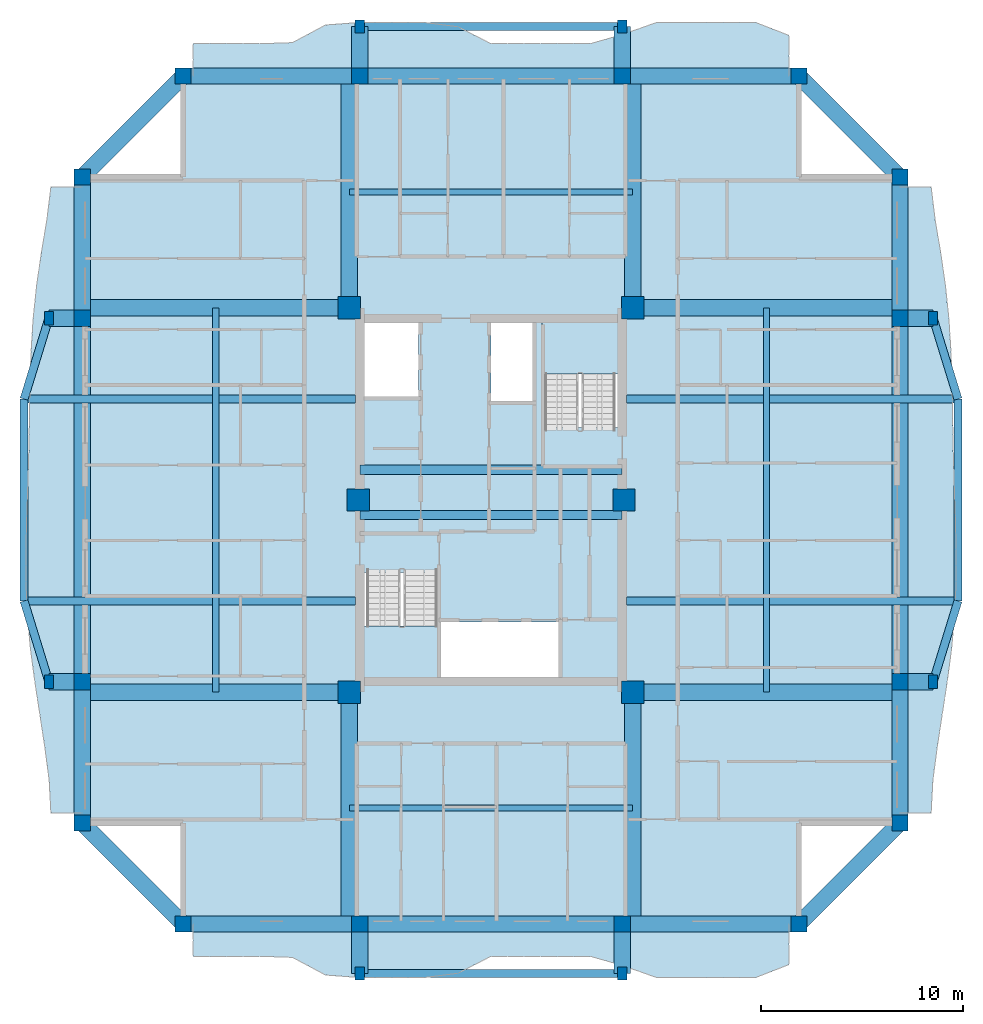
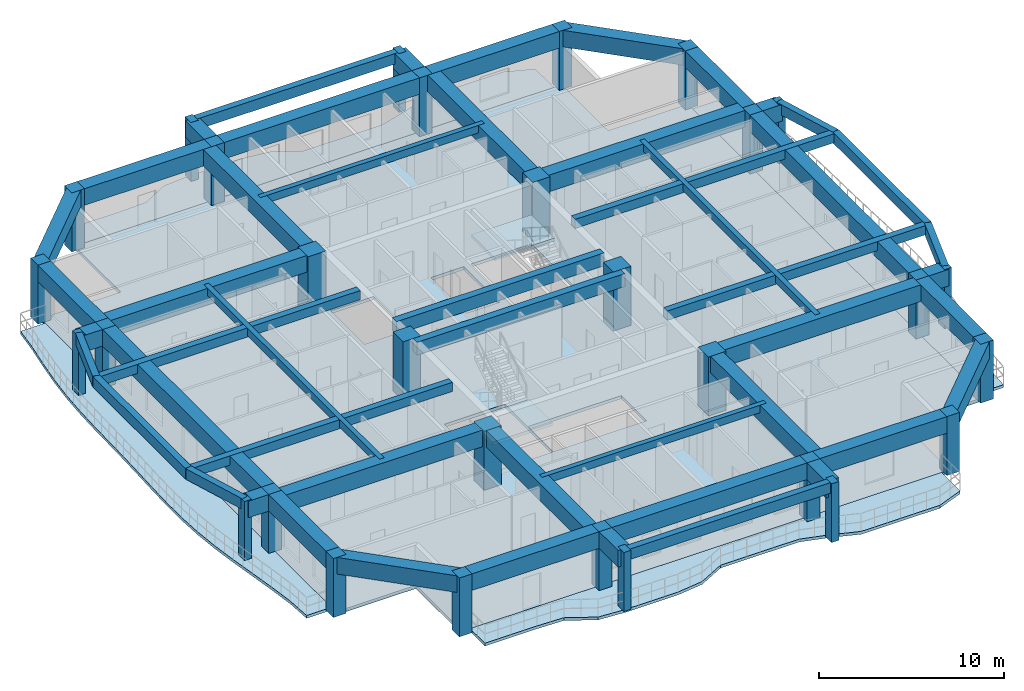
# One storey, part 1 of 14: 50 beams, 30 columns, 7 slabs, 2 elements without a shape of their own.
"""IFC4 building model written with IfcOpenShell, lengths in metres."""

from ifc_helpers import new_model, si_unit, direction, frame, origin, origin_2d, place, context, subcontext, project, spatial, polyline, rectangle, outline, extrude, source, transform, mapped, material, layer, layer_set, material_profile, profile_set, type_object, element, aggregate, save


model = new_model("IFC4")

# Units and contexts
model_context = context("Model", 3, precision=1e-05, world=origin(), true_north=direction((0.0, 1.0)))
body_context = subcontext(model_context, "Body", "Model", "MODEL_VIEW")
ifc_project = project(units=[si_unit("LENGTHUNIT", "METRE"), si_unit("AREAUNIT", "SQUARE_METRE"), si_unit("VOLUMEUNIT", "CUBIC_METRE"), si_unit("PLANEANGLEUNIT", "RADIAN"), si_unit("MASSUNIT", "GRAM", prefix="KILO")], contexts=[model_context])

# Site, building, storey
site_placement = place(None, origin())
site = spatial("IfcSite", under=ifc_project, at=site_placement, CompositionType="ELEMENT")
building_placement = place(site_placement, origin())
building = spatial("IfcBuilding", under=site, at=building_placement, Name="Saelheon Loggia Tower", CompositionType="ELEMENT")
storey_placement = place(building_placement, frame((0.0, 0.0, 182.800048828125)))
storey = spatial("IfcBuildingStorey", under=building, at=storey_placement, Name="L57", CompositionType="ELEMENT", Elevation=182.800048828125)

# Columns
ifc_material_1 = material(Name="Concrete C50/60", Category="concrete")
ifc_material_profile_1 = material_profile(ifc_material_1, rectangle(XDim=1.10009765625, YDim=1.10009765625, at=origin_2d()), Name="RC-1100x1100")
ifc_profile_set_1 = profile_set([ifc_material_profile_1], Name="Concrete C50/60")
column_type_1 = type_object("IfcColumnType", Name="Col_Core_RC1100", PredefinedType="COLUMN", material=ifc_profile_set_1)
shared_shape_1 = source(origin(), body_context, "Body", "SweptSolid", [
    extrude(rectangle(XDim=1.10009765625, YDim=1.10009765625, at=origin_2d()), origin(), (0.0, 0.0, 1.0), 3.89990234375),
])
for number, where, z_axis, x_axis, name in (
    (1, (30.97998046875, 17.47998046875, 0.0), (0.0, 0.0, 1.0), (1.0, 0.0, 0.0), "L57 Core Column CR-SW"),
    (2, (45.02001953125, 17.47998046875, 0.0), (0.0, 0.0, 1.0), (1.0, 0.0, 0.0), "L57 Core Column CR-SE"),
    (3, (30.97998046875, 36.52001953125, 0.0), (0.0, 0.0, 1.0), (1.0, 0.0, 0.0), "L57 Core Column CR-NW"),
    (4, (45.02001953125, 36.52001953125, 0.0), (0.0, 0.0, 1.0), (1.0, 0.0, 0.0), "L57 Core Column CR-NE"),
    (5, (31.419921875, 27.0, 0.0), (0.0, 0.0, 1.0), (1.0, 0.0, 0.0), "L57 Core Column CR-MW"),
    (6, (44.580078125, 27.0, 0.0), (0.0, 0.0, 1.0), (1.0, 0.0, 0.0), "L57 Core Column CR-ME"),
):
    element("IfcColumn", number, at=place(storey_placement, frame(where, z_axis=z_axis, x_axis=x_axis)), inside=storey, type_object=column_type_1, Name=name, PredefinedType="COLUMN", context=body_context, shape_type="MappedRepresentation", body=[
        mapped(shared_shape_1, transform((0.0, 0.0, 0.0), scale=1.0)),
    ])
ifc_material_2 = material(Name="Concrete C45/55", Category="concrete")
ifc_material_profile_2 = material_profile(ifc_material_2, rectangle(XDim=0.800048828125, YDim=0.800048828125, at=origin_2d()), Name="RC-800x800")
ifc_profile_set_2 = profile_set([ifc_material_profile_2], Name="Concrete C45/55")
column_type_2 = type_object("IfcColumnType", Name="Col_Perim_RC800", PredefinedType="COLUMN", material=ifc_profile_set_2)
shared_shape_2 = source(origin(), body_context, "Body", "SweptSolid", [
    extrude(rectangle(XDim=0.800048828125, YDim=0.800048828125, at=origin_2d()), origin(), (0.0, 0.0, 1.0), 3.89990234375),
])
for number, where, z_axis, x_axis, name in (
    (7, (22.75, 6.0, 0.0), (0.0, 0.0, 1.0), (1.0, 0.0, 0.0), "L57 Perimeter Column TP-S1"),
    (8, (31.5, 6.0, 0.0), (0.0, 0.0, 1.0), (1.0, 0.0, 0.0), "L57 Perimeter Column TP-SA"),
    (9, (44.5, 6.0, 0.0), (0.0, 0.0, 1.0), (1.0, 0.0, 0.0), "L57 Perimeter Column TP-SB"),
    (10, (53.25, 6.0, 0.0), (0.0, 0.0, 1.0), (1.0, 0.0, 0.0), "L57 Perimeter Column TP-S2"),
    (11, (58.25, 11.0, 0.0), (0.0, 0.0, 1.0), (1.0, 0.0, 0.0), "L57 Perimeter Column TP-E1"),
    (12, (58.25, 18.0, 0.0), (0.0, 0.0, 1.0), (1.0, 0.0, 0.0), "L57 Perimeter Column TP-EA"),
    (13, (58.25, 36.0, 0.0), (0.0, 0.0, 1.0), (1.0, 0.0, 0.0), "L57 Perimeter Column TP-EB"),
    (14, (58.25, 43.0, 0.0), (0.0, 0.0, 1.0), (1.0, 0.0, 0.0), "L57 Perimeter Column TP-E2"),
    (15, (53.25, 48.0, 0.0), (0.0, 0.0, 1.0), (1.0, 0.0, 0.0), "L57 Perimeter Column TP-N2"),
    (16, (44.5, 48.0, 0.0), (0.0, 0.0, 1.0), (1.0, 0.0, 0.0), "L57 Perimeter Column TP-NB"),
    (17, (31.5, 48.0, 0.0), (0.0, 0.0, 1.0), (1.0, 0.0, 0.0), "L57 Perimeter Column TP-NA"),
    (18, (22.75, 48.0, 0.0), (0.0, 0.0, 1.0), (1.0, 0.0, 0.0), "L57 Perimeter Column TP-N1"),
    (19, (17.75, 43.0, 0.0), (0.0, 0.0, 1.0), (1.0, 0.0, 0.0), "L57 Perimeter Column TP-W2"),
    (20, (17.75, 36.0, 0.0), (0.0, 0.0, 1.0), (1.0, 0.0, 0.0), "L57 Perimeter Column TP-WB"),
    (21, (17.75, 18.0, 0.0), (0.0, 0.0, 1.0), (1.0, 0.0, 0.0), "L57 Perimeter Column TP-WA"),
    (22, (17.75, 11.0, 0.0), (0.0, 0.0, 1.0), (1.0, 0.0, 0.0), "L57 Perimeter Column TP-W1"),
):
    element("IfcColumn", number, at=place(storey_placement, frame(where, z_axis=z_axis, x_axis=x_axis)), inside=storey, type_object=column_type_2, Name=name, PredefinedType="COLUMN", context=body_context, shape_type="MappedRepresentation", body=[
        mapped(shared_shape_2, transform((0.0, 0.0, 0.0), scale=1.0)),
    ])
ifc_material_3 = material(Name="Precast Concrete C45/55", Category="concrete")
ifc_material_profile_3 = material_profile(ifc_material_3, rectangle(XDim=0.449951171875, YDim=0.64990234375, at=origin_2d()), Name="RC-450x650")
ifc_profile_set_3 = profile_set([ifc_material_profile_3], Name="Precast Concrete C45/55")
column_type_3 = type_object("IfcColumnType", Name="Col_Loggia_Pilaster_650", PredefinedType="PILASTER", material=ifc_profile_set_3)
shared_shape_3 = source(origin(), body_context, "Body", "SweptSolid", [
    extrude(rectangle(XDim=0.449951171875, YDim=0.64990234375, at=origin_2d()), origin(), (0.0, 0.0, 1.0), 3.89990234375),
])
for number, where, z_axis, x_axis, name in (
    (23, (31.5, 3.550048828125, 0.0), (0.0, 0.0, 1.0), (1.0, 0.0, 0.0), "L57 Loggia Frame Pilaster LP-S1"),
    (24, (44.5, 3.550048828125, 0.0), (0.0, 0.0, 1.0), (1.0, 0.0, 0.0), "L57 Loggia Frame Pilaster LP-S2"),
    (25, (31.5, 50.449951171875, 0.0), (0.0, 0.0, 1.0), (1.0, 0.0, 0.0), "L57 Loggia Frame Pilaster LP-N1"),
    (26, (44.5, 50.449951171875, 0.0), (0.0, 0.0, 1.0), (1.0, 0.0, 0.0), "L57 Loggia Frame Pilaster LP-N2"),
    (27, (59.89990234375, 18.0, 0.0), (0.0, 0.0, 1.0), (1.0, 0.0, 0.0), "L57 Loggia Frame Pilaster LP-E1"),
    (28, (59.89990234375, 36.0, 0.0), (0.0, 0.0, 1.0), (1.0, 0.0, 0.0), "L57 Loggia Frame Pilaster LP-E2"),
    (29, (16.10009765625, 18.0, 0.0), (0.0, 0.0, 1.0), (1.0, 0.0, 0.0), "L57 Loggia Frame Pilaster LP-W1"),
    (30, (16.10009765625, 36.0, 0.0), (0.0, 0.0, 1.0), (1.0, 0.0, 0.0), "L57 Loggia Frame Pilaster LP-W2"),
):
    element("IfcColumn", number, at=place(storey_placement, frame(where, z_axis=z_axis, x_axis=x_axis)), inside=storey, type_object=column_type_3, Name=name, PredefinedType="PILASTER", context=body_context, shape_type="MappedRepresentation", body=[
        mapped(shared_shape_3, transform((0.0, 0.0, 0.0), scale=1.0)),
    ])

# Beams
ifc_material_profile_4 = material_profile(ifc_material_1, rectangle(XDim=0.449951171875, YDim=0.85009765625, at=origin_2d()), Name="RC-450x850")
ifc_profile_set_4 = profile_set([ifc_material_profile_4], Name="Concrete C50/60")
beam_type_1 = type_object("IfcBeamType", Name="Beam_CoreLintel_RC450x850", PredefinedType="LINTEL", material=ifc_profile_set_4)
shared_shape_4 = source(origin(), body_context, "Body", "SweptSolid", [
    extrude(rectangle(XDim=0.449951171875, YDim=0.85009765625, at=origin_2d()), origin(), (0.0, 0.0, 1.0), 13.0),
])
for number, where, z_axis, x_axis, name in (
    (31, (31.5, 26.25, 3.474853515625), (1.0, 0.0, 0.0), (0.0, 1.0, 0.0), "L57 Core Coupling Lintel 1"),
    (32, (31.5, 28.5, 3.474853515625), (1.0, 0.0, 0.0), (0.0, 1.0, 0.0), "L57 Core Coupling Lintel 2"),
):
    element("IfcBeam", number, at=place(storey_placement, frame(where, z_axis=z_axis, x_axis=x_axis)), inside=storey, type_object=beam_type_1, Name=name, PredefinedType="LINTEL", context=body_context, shape_type="MappedRepresentation", body=[
        mapped(shared_shape_4, transform((0.0, 0.0, 0.0), scale=1.0)),
    ])
ifc_material_4 = material(Name="Concrete C40/50", Category="concrete")
ifc_material_profile_5 = material_profile(ifc_material_4, rectangle(XDim=0.300048828125, YDim=0.5, at=origin_2d()), Name="RC-300x500")
ifc_profile_set_5 = profile_set([ifc_material_profile_5], Name="Concrete C40/50")
beam_type_2 = type_object("IfcBeamType", Name="Beam_Joist_RC300x500", PredefinedType="JOIST", material=ifc_profile_set_5)
shared_shape_5 = source(origin(), body_context, "Body", "SweptSolid", [
    extrude(rectangle(XDim=0.300048828125, YDim=0.5, at=origin_2d()), origin(), (0.0, 0.0, 1.0), 14.0400390625),
])
for number, where, z_axis, x_axis, name in (
    (33, (30.97998046875, 11.739990234375, 3.64990234375), (1.0, 0.0, 0.0), (0.0, 1.0, 0.0), "L57 South Floor Joist"),
    (34, (30.97998046875, 42.260009765625, 3.64990234375), (1.0, 0.0, 0.0), (0.0, 1.0, 0.0), "L57 North Floor Joist"),
):
    element("IfcBeam", number, at=place(storey_placement, frame(where, z_axis=z_axis, x_axis=x_axis)), inside=storey, type_object=beam_type_2, Name=name, PredefinedType="JOIST", context=body_context, shape_type="MappedRepresentation", body=[
        mapped(shared_shape_5, transform((0.0, 0.0, 0.0), scale=1.0)),
    ])
shared_shape_6 = source(origin(), body_context, "Body", "SweptSolid", [
    extrude(rectangle(XDim=0.300048828125, YDim=0.5, at=origin_2d()), origin(), (0.0, 0.0, 1.0), 19.0400390625),
])
for number, where, z_axis, x_axis, name in (
    (35, (24.364990234375, 17.47998046875, 3.64990234375), (0.0, 1.0, 0.0), (-1.0, 0.0, 0.0), "L57 West Floor Joist"),
    (36, (51.635009765625, 17.47998046875, 3.64990234375), (0.0, 1.0, 0.0), (-1.0, 0.0, 0.0), "L57 East Floor Joist"),
):
    element("IfcBeam", number, at=place(storey_placement, frame(where, z_axis=z_axis, x_axis=x_axis)), inside=storey, type_object=beam_type_2, Name=name, PredefinedType="JOIST", context=body_context, shape_type="MappedRepresentation", body=[
        mapped(shared_shape_6, transform((0.0, 0.0, 0.0), scale=1.0)),
    ])
ifc_material_profile_6 = material_profile(ifc_material_1, rectangle(XDim=0.800048828125, YDim=1.10009765625, at=origin_2d()), Name="RC-800x1100")
ifc_profile_set_6 = profile_set([ifc_material_profile_6], Name="Concrete C50/60")
beam_type_3 = type_object("IfcBeamType", Name="Beam_PerimSetback_RC800x1100", PredefinedType="BEAM", material=ifc_profile_set_6)
shared_shape_7 = source(origin(), body_context, "Body", "SweptSolid", [
    extrude(rectangle(XDim=0.800048828125, YDim=1.10009765625, at=origin_2d()), origin(), (0.0, 0.0, 1.0), 13.0),
])
for number, where, z_axis, x_axis, name in (
    (37, (31.5, 6.0, 3.349853515625), (1.0, 0.0, 0.0), (0.0, 1.0, 0.0), "L57 Perimeter Frame Girder 02"),
    (38, (44.5, 48.0, 3.349853515625), (-1.0, 0.0, 0.0), (0.0, -1.0, 0.0), "L57 Perimeter Frame Girder 10"),
):
    element("IfcBeam", number, at=place(storey_placement, frame(where, z_axis=z_axis, x_axis=x_axis)), inside=storey, type_object=beam_type_3, Name=name, PredefinedType="BEAM", context=body_context, shape_type="MappedRepresentation", body=[
        mapped(shared_shape_7, transform((0.0, 0.0, 0.0), scale=1.0)),
    ])
shared_shape_8 = source(origin(), body_context, "Body", "SweptSolid", [
    extrude(rectangle(XDim=0.800048828125, YDim=1.10009765625, at=origin_2d()), origin(), (0.0, 0.0, 1.0), 7.071044921875),
])
for number, where, z_axis, x_axis, name in (
    (39, (53.25, 6.0, 3.349853515625), (0.707106781187, 0.707106781187, 0.0), (-0.707106781187, 0.707106781187, 0.0), "L57 Perimeter Frame Girder 04"),
    (40, (58.25, 43.0, 3.349853515625), (-0.707106781187, 0.707106781187, 0.0), (-0.707106781187, -0.707106781187, 0.0), "L57 Perimeter Frame Girder 08"),
    (41, (22.75, 48.0, 3.349853515625), (-0.707106781187, -0.707106781187, 0.0), (0.707106781187, -0.707106781187, 0.0), "L57 Perimeter Frame Girder 12"),
    (42, (17.75, 11.0, 3.349853515625), (0.707106781187, -0.707106781187, 0.0), (0.707106781187, 0.707106781187, 0.0), "L57 Perimeter Frame Girder 16"),
):
    element("IfcBeam", number, at=place(storey_placement, frame(where, z_axis=z_axis, x_axis=x_axis)), inside=storey, type_object=beam_type_3, Name=name, PredefinedType="BEAM", context=body_context, shape_type="MappedRepresentation", body=[
        mapped(shared_shape_8, transform((0.0, 0.0, 0.0), scale=1.0)),
    ])
shared_shape_9 = source(origin(), body_context, "Body", "SweptSolid", [
    extrude(rectangle(XDim=0.800048828125, YDim=1.10009765625, at=origin_2d()), origin(), (0.0, 0.0, 1.0), 7.0),
])
for number, where, z_axis, x_axis, name in (
    (43, (58.25, 11.0, 3.349853515625), (0.0, 1.0, 0.0), (-1.0, 0.0, 0.0), "L57 Perimeter Frame Girder 05"),
    (44, (58.25, 36.0, 3.349853515625), (0.0, 1.0, 0.0), (-1.0, 0.0, 0.0), "L57 Perimeter Frame Girder 07"),
    (45, (17.75, 43.0, 3.349853515625), (0.0, -1.0, 0.0), (1.0, 0.0, 0.0), "L57 Perimeter Frame Girder 13"),
    (46, (17.75, 18.0, 3.349853515625), (0.0, -1.0, 0.0), (1.0, 0.0, 0.0), "L57 Perimeter Frame Girder 15"),
):
    element("IfcBeam", number, at=place(storey_placement, frame(where, z_axis=z_axis, x_axis=x_axis)), inside=storey, type_object=beam_type_3, Name=name, PredefinedType="BEAM", context=body_context, shape_type="MappedRepresentation", body=[
        mapped(shared_shape_9, transform((0.0, 0.0, 0.0), scale=1.0)),
    ])
shared_shape_10 = source(origin(), body_context, "Body", "SweptSolid", [
    extrude(rectangle(XDim=0.800048828125, YDim=1.10009765625, at=origin_2d()), origin(), (0.0, 0.0, 1.0), 18.0),
])
for number, where, z_axis, x_axis, name in (
    (47, (58.25, 18.0, 3.349853515625), (0.0, 1.0, 0.0), (-1.0, 0.0, 0.0), "L57 Perimeter Frame Girder 06"),
    (48, (17.75, 36.0, 3.349853515625), (0.0, -1.0, 0.0), (1.0, 0.0, 0.0), "L57 Perimeter Frame Girder 14"),
):
    element("IfcBeam", number, at=place(storey_placement, frame(where, z_axis=z_axis, x_axis=x_axis)), inside=storey, type_object=beam_type_3, Name=name, PredefinedType="BEAM", context=body_context, shape_type="MappedRepresentation", body=[
        mapped(shared_shape_10, transform((0.0, 0.0, 0.0), scale=1.0)),
    ])
ifc_material_profile_7 = material_profile(ifc_material_1, rectangle(XDim=0.800048828125, YDim=1.10009765625, at=origin_2d()), Name="RC-800x1100")
ifc_profile_set_7 = profile_set([ifc_material_profile_7], Name="Concrete C50/60")
beam_type_4 = type_object("IfcBeamType", Name="Beam_SetbackTransfer_RC800x1100", PredefinedType="BEAM", material=ifc_profile_set_7)
shared_shape_11 = source(origin(), body_context, "Body", "SweptSolid", [
    extrude(rectangle(XDim=0.800048828125, YDim=1.10009765625, at=origin_2d()), origin(), (0.0, 0.0, 1.0), 11.47998046875),
])
for number, where, z_axis, x_axis, name in (
    (49, (30.97998046875, 17.47998046875, 3.349853515625), (0.0, -1.0, 0.0), (1.0, 0.0, 0.0), "L57 Radial Floor Girder RAD-SW-S"),
    (50, (45.02001953125, 17.47998046875, 3.349853515625), (0.0, -1.0, 0.0), (1.0, 0.0, 0.0), "L57 Radial Floor Girder RAD-SE-S"),
    (51, (30.97998046875, 36.52001953125, 3.349853515625), (0.0, 1.0, 0.0), (-1.0, 0.0, 0.0), "L57 Radial Floor Girder RAD-NW-N"),
    (52, (45.02001953125, 36.52001953125, 3.349853515625), (0.0, 1.0, 0.0), (-1.0, 0.0, 0.0), "L57 Radial Floor Girder RAD-NE-N"),
):
    element("IfcBeam", number, at=place(storey_placement, frame(where, z_axis=z_axis, x_axis=x_axis)), inside=storey, type_object=beam_type_4, Name=name, PredefinedType="BEAM", context=body_context, shape_type="MappedRepresentation", body=[
        mapped(shared_shape_11, transform((0.0, 0.0, 0.0), scale=1.0)),
    ])
shared_shape_12 = source(origin(), body_context, "Body", "SweptSolid", [
    extrude(rectangle(XDim=0.800048828125, YDim=1.10009765625, at=origin_2d()), origin(), (0.0, 0.0, 1.0), 2.449951171875),
])
for number, where, z_axis, x_axis, name in (
    (53, (31.5, 6.0, 3.349853515625), (0.0, -1.0, 0.0), (1.0, 0.0, 0.0), "L57 Loggia Frame Tie Beam LP-S1"),
    (54, (44.5, 6.0, 3.349853515625), (0.0, -1.0, 0.0), (1.0, 0.0, 0.0), "L57 Loggia Frame Tie Beam LP-S2"),
    (55, (31.5, 48.0, 3.349853515625), (0.0, 1.0, 0.0), (-1.0, 0.0, 0.0), "L57 Loggia Frame Tie Beam LP-N1"),
    (56, (44.5, 48.0, 3.349853515625), (0.0, 1.0, 0.0), (-1.0, 0.0, 0.0), "L57 Loggia Frame Tie Beam LP-N2"),
):
    element("IfcBeam", number, at=place(storey_placement, frame(where, z_axis=z_axis, x_axis=x_axis)), inside=storey, type_object=beam_type_3, Name=name, PredefinedType="BEAM", context=body_context, shape_type="MappedRepresentation", body=[
        mapped(shared_shape_12, transform((0.0, 0.0, 0.0), scale=1.0)),
    ])
shared_shape_13 = source(origin(), body_context, "Body", "SweptSolid", [
    extrude(rectangle(XDim=0.800048828125, YDim=1.10009765625, at=origin_2d()), origin(), (0.0, 0.0, 1.0), 1.64990234375),
])
for number, where, z_axis, x_axis, name in (
    (57, (58.25, 18.0, 3.349853515625), (1.0, 0.0, 0.0), (0.0, 1.0, 0.0), "L57 Loggia Frame Tie Beam LP-E1"),
    (58, (58.25, 36.0, 3.349853515625), (1.0, 0.0, 0.0), (0.0, 1.0, 0.0), "L57 Loggia Frame Tie Beam LP-E2"),
    (59, (17.75, 18.0, 3.349853515625), (-1.0, 0.0, 0.0), (0.0, -1.0, 0.0), "L57 Loggia Frame Tie Beam LP-W1"),
    (60, (17.75, 36.0, 3.349853515625), (-1.0, 0.0, 0.0), (0.0, -1.0, 0.0), "L57 Loggia Frame Tie Beam LP-W2"),
):
    element("IfcBeam", number, at=place(storey_placement, frame(where, z_axis=z_axis, x_axis=x_axis)), inside=storey, type_object=beam_type_3, Name=name, PredefinedType="BEAM", context=body_context, shape_type="MappedRepresentation", body=[
        mapped(shared_shape_13, transform((0.0, 0.0, 0.0), scale=1.0)),
    ])
shared_shape_14 = source(origin(), body_context, "Body", "SweptSolid", [
    extrude(rectangle(XDim=0.800048828125, YDim=1.10009765625, at=origin_2d()), origin(), (0.0, 0.0, 1.0), 8.75),
])
for number, where, z_axis, x_axis, name in (
    (61, (22.75, 6.0, 3.349853515625), (1.0, 0.0, 0.0), (0.0, 1.0, 0.0), "L57 Perimeter Frame Girder 01"),
    (62, (44.5, 6.0, 3.349853515625), (1.0, 0.0, 0.0), (0.0, 1.0, 0.0), "L57 Perimeter Frame Girder 03"),
    (63, (53.25, 48.0, 3.349853515625), (-1.0, 0.0, 0.0), (0.0, -1.0, 0.0), "L57 Perimeter Frame Girder 09"),
    (64, (31.5, 48.0, 3.349853515625), (-1.0, 0.0, 0.0), (0.0, -1.0, 0.0), "L57 Perimeter Frame Girder 11"),
):
    element("IfcBeam", number, at=place(storey_placement, frame(where, z_axis=z_axis, x_axis=x_axis)), inside=storey, type_object=beam_type_3, Name=name, PredefinedType="BEAM", context=body_context, shape_type="MappedRepresentation", body=[
        mapped(shared_shape_14, transform((0.0, 0.0, 0.0), scale=1.0)),
    ])
shared_shape_15 = source(origin(), body_context, "Body", "SweptSolid", [
    extrude(rectangle(XDim=0.800048828125, YDim=1.10009765625, at=origin_2d()), origin(), (0.0, 0.0, 1.0), 13.22998046875),
])
for number, where, z_axis, x_axis, name in (
    (65, (30.97998046875, 17.47998046875, 3.349853515625), (-1.0, 0.0, 0.0), (0.0, -1.0, 0.0), "L57 Radial Floor Girder RAD-SW-W"),
    (66, (30.97998046875, 36.52001953125, 3.349853515625), (-1.0, 0.0, 0.0), (0.0, -1.0, 0.0), "L57 Radial Floor Girder RAD-NW-W"),
    (67, (45.02001953125, 17.47998046875, 3.349853515625), (1.0, 0.0, 0.0), (0.0, 1.0, 0.0), "L57 Radial Floor Girder RAD-SE-E"),
    (68, (45.02001953125, 36.52001953125, 3.349853515625), (1.0, 0.0, 0.0), (0.0, 1.0, 0.0), "L57 Radial Floor Girder RAD-NE-E"),
):
    element("IfcBeam", number, at=place(storey_placement, frame(where, z_axis=z_axis, x_axis=x_axis)), inside=storey, type_object=beam_type_4, Name=name, PredefinedType="BEAM", context=body_context, shape_type="MappedRepresentation", body=[
        mapped(shared_shape_15, transform((0.0, 0.0, 0.0), scale=1.0)),
    ])
ifc_material_profile_8 = material_profile(ifc_material_3, rectangle(XDim=0.39990234375, YDim=0.699951171875, at=origin_2d()), Name="RC-400x700")
ifc_profile_set_8 = profile_set([ifc_material_profile_8], Name="Precast Concrete C45/55")
beam_type_5 = type_object("IfcBeamType", Name="Beam_LoggiaSpandrel_RC400x700", PredefinedType="SPANDREL", material=ifc_profile_set_8)
shared_shape_16 = source(origin(), body_context, "Body", "SweptSolid", [
    extrude(rectangle(XDim=0.39990234375, YDim=0.699951171875, at=origin_2d()), origin(), (0.0, 0.0, 1.0), 13.0),
])
for number, where, z_axis, x_axis, name in (
    (69, (31.5, 3.550048828125, 3.550048828125), (1.0, 0.0, 0.0), (0.0, 1.0, 0.0), "L57 Loggia Spandrel Beam S"),
    (70, (31.5, 50.449951171875, 3.550048828125), (1.0, 0.0, 0.0), (0.0, 1.0, 0.0), "L57 Loggia Spandrel Beam N"),
):
    element("IfcBeam", number, at=place(storey_placement, frame(where, z_axis=z_axis, x_axis=x_axis)), inside=storey, type_object=beam_type_5, Name=name, PredefinedType="SPANDREL", context=body_context, shape_type="MappedRepresentation", body=[
        mapped(shared_shape_16, transform((0.0, 0.0, 0.0), scale=1.0)),
    ])
ifc_material_profile_9 = material_profile(ifc_material_3, rectangle(XDim=0.39990234375, YDim=0.60009765625, at=origin_2d()), Name="RC-400x600")
ifc_profile_set_9 = profile_set([ifc_material_profile_9], Name="Precast Concrete C45/55")
beam_type_6 = type_object("IfcBeamType", Name="Beam_LoggiaTie_RC400x600", PredefinedType="BEAM", material=ifc_profile_set_9)
shared_shape_17 = source(origin(), body_context, "Body", "SweptSolid", [
    extrude(rectangle(XDim=0.39990234375, YDim=0.60009765625, at=origin_2d()), origin(), (0.0, 0.0, 1.0), 16.409912109375),
])
for number, where, z_axis, x_axis, name in (
    (71, (44.719970703125, 22.0, 3.599853515625), (1.0, 0.0, 0.0), (0.0, 1.0, 0.0), "L57 Curved Facade Outrigger Beam E 1"),
    (72, (44.719970703125, 32.0, 3.599853515625), (1.0, 0.0, 0.0), (0.0, 1.0, 0.0), "L57 Curved Facade Outrigger Beam E 2"),
    (73, (31.280029296875, 22.0, 3.599853515625), (-1.0, 0.0, 0.0), (0.0, -1.0, 0.0), "L57 Curved Facade Outrigger Beam W 1"),
    (74, (31.280029296875, 32.0, 3.599853515625), (-1.0, 0.0, 0.0), (0.0, -1.0, 0.0), "L57 Curved Facade Outrigger Beam W 2"),
):
    element("IfcBeam", number, at=place(storey_placement, frame(where, z_axis=z_axis, x_axis=x_axis)), inside=storey, type_object=beam_type_6, Name=name, PredefinedType="BEAM", context=body_context, shape_type="MappedRepresentation", body=[
        mapped(shared_shape_17, transform((0.0, 0.0, 0.0), scale=1.0)),
    ])
shared_shape_18 = source(origin(), body_context, "Body", "SweptSolid", [
    extrude(rectangle(XDim=0.39990234375, YDim=0.699951171875, at=origin_2d()), origin(), (0.0, 0.0, 1.0), 4.184814453125),
])
for number, where, z_axis, x_axis, name in (
    (75, (59.89990234375, 18.0, 3.550048828125), (0.293913664135, 0.955831971653, 0.0), (-0.955831971653, 0.293913664135, 0.0), "L57 Curved Loggia Spandrel E 1"),
    (76, (61.1298828125, 32.0, 3.550048828125), (-0.293913664135, 0.955831971653, 0.0), (-0.955831971653, -0.293913664135, 0.0), "L57 Curved Loggia Spandrel E 3"),
    (77, (16.10009765625, 18.0, 3.550048828125), (-0.293913664135, 0.955831971653, 0.0), (-0.955831971653, -0.293913664135, 0.0), "L57 Curved Loggia Spandrel W 1"),
    (78, (14.8701171875, 32.0, 3.550048828125), (0.293913664135, 0.955831971653, 0.0), (-0.955831971653, 0.293913664135, 0.0), "L57 Curved Loggia Spandrel W 3"),
):
    element("IfcBeam", number, at=place(storey_placement, frame(where, z_axis=z_axis, x_axis=x_axis)), inside=storey, type_object=beam_type_5, Name=name, PredefinedType="SPANDREL", context=body_context, shape_type="MappedRepresentation", body=[
        mapped(shared_shape_18, transform((0.0, 0.0, 0.0), scale=1.0)),
    ])
shared_shape_19 = source(origin(), body_context, "Body", "SweptSolid", [
    extrude(rectangle(XDim=0.39990234375, YDim=0.699951171875, at=origin_2d()), origin(), (0.0, 0.0, 1.0), 10.0),
])
for number, where, z_axis, x_axis, name in (
    (79, (61.1298828125, 22.0, 3.550048828125), (0.0, 1.0, 0.0), (-1.0, 0.0, 0.0), "L57 Curved Loggia Spandrel E 2"),
    (80, (14.8701171875, 22.0, 3.550048828125), (0.0, 1.0, 0.0), (-1.0, 0.0, 0.0), "L57 Curved Loggia Spandrel W 2"),
):
    element("IfcBeam", number, at=place(storey_placement, frame(where, z_axis=z_axis, x_axis=x_axis)), inside=storey, type_object=beam_type_5, Name=name, PredefinedType="SPANDREL", context=body_context, shape_type="MappedRepresentation", body=[
        mapped(shared_shape_19, transform((0.0, 0.0, 0.0), scale=1.0)),
    ])

# Slabs
ifc_layer_1 = layer(ifc_material_3, 0.18994140625)
ifc_layer_set_1 = layer_set([ifc_layer_1], Name="Precast Concrete C45/55")
slab_type_1 = type_object("IfcSlabType", Name="Slab_Loggia_Ext_190", PredefinedType="FLOOR", material=ifc_layer_set_1)
slab_1_placement = place(storey_placement, frame((0.0, 0.0, -0.18994140625)))
element("IfcSlab", 81, at=slab_1_placement, inside=storey, type_object=slab_type_1, Name="L57 Loggia Balcony Slab S", PredefinedType="FLOOR", context=body_context, shape_type="SweptSolid", body=[
    extrude(outline(polyline([(23.25, 4.39990234375), (24.888916015625, 4.39990234375), (26.52783203125, 4.39990234375), (28.166748046875, 4.345703125), (29.8056640625, 3.471435546875), (31.4443359375, 3.35009765625), (33.083251953125, 3.35009765625), (34.72216796875, 3.35009765625), (36.361083984375, 3.559326171875), (38.0, 4.39990234375), (39.638916015625, 4.39990234375), (41.27783203125, 4.39990234375), (42.916748046875, 4.39990234375), (44.5556640625, 3.928466796875), (46.1943359375, 3.35009765625), (47.833251953125, 3.35009765625), (49.47216796875, 3.35009765625), (51.111083984375, 3.35009765625), (52.75, 3.985595703125), (52.75, 6.0), (23.25, 6.0), (23.25, 4.39990234375)])), origin(), (0.0, 0.0, 1.0), 0.18994140625),
])
slab_2_placement = place(storey_placement, frame((0.0, 0.0, -0.18994140625)))
element("IfcSlab", 82, at=slab_2_placement, inside=storey, type_object=slab_type_1, Name="L57 Loggia Balcony Slab N", PredefinedType="FLOOR", context=body_context, shape_type="SweptSolid", body=[
    extrude(outline(polyline([(23.25, 48.0), (52.75, 48.0), (52.75, 50.014404296875), (51.111083984375, 50.64990234375), (49.47216796875, 50.64990234375), (47.833251953125, 50.64990234375), (46.1943359375, 50.64990234375), (44.5556640625, 50.071533203125), (42.916748046875, 49.60009765625), (41.27783203125, 49.60009765625), (39.638916015625, 49.60009765625), (38.0, 49.60009765625), (36.361083984375, 50.440673828125), (34.72216796875, 50.64990234375), (33.083251953125, 50.64990234375), (31.4443359375, 50.64990234375), (29.8056640625, 50.528564453125), (28.166748046875, 49.654296875), (26.52783203125, 49.60009765625), (24.888916015625, 49.60009765625), (23.25, 49.60009765625), (23.25, 48.0)])), origin(), (0.0, 0.0, 1.0), 0.18994140625),
])
slab_3_placement = place(storey_placement, frame((0.0, 0.0, -0.18994140625)))
element("IfcSlab", 83, at=slab_3_placement, inside=storey, type_object=slab_type_1, Name="L57 Loggia Balcony Slab E", PredefinedType="FLOOR", context=body_context, shape_type="SweptSolid", body=[
    extrude(outline(polyline([(58.25, 11.5), (59.800048828125, 11.5), (59.88671875, 13.131591796875), (60.102294921875, 14.76318359375), (60.349853515625, 16.394775390625), (60.60009765625, 18.0263671875), (60.81591796875, 19.657958984375), (60.96630859375, 21.28955078125), (61.03857421875, 22.921142578125), (61.040283203125, 24.552490234375), (60.997314453125, 26.18408203125), (60.940185546875, 27.81591796875), (60.893310546875, 29.447509765625), (60.862548828125, 31.078857421875), (60.8349609375, 32.71044921875), (60.783447265625, 34.342041015625), (60.680419921875, 35.9736328125), (60.509521484375, 37.605224609375), (60.274658203125, 39.23681640625), (60.0, 40.868408203125), (59.800048828125, 42.5), (58.25, 42.5), (58.25, 11.5)])), origin(), (0.0, 0.0, 1.0), 0.18994140625),
])
slab_4_placement = place(storey_placement, frame((0.0, 0.0, -0.18994140625)))
element("IfcSlab", 84, at=slab_4_placement, inside=storey, type_object=slab_type_1, Name="L57 Loggia Balcony Slab W", PredefinedType="FLOOR", context=body_context, shape_type="SweptSolid", body=[
    extrude(outline(polyline([(17.75, 11.5), (17.75, 42.5), (16.199951171875, 42.5), (16.0, 40.868408203125), (15.725341796875, 39.23681640625), (15.490478515625, 37.605224609375), (15.319580078125, 35.9736328125), (15.216552734375, 34.342041015625), (15.1650390625, 32.71044921875), (15.137451171875, 31.078857421875), (15.106689453125, 29.447509765625), (15.059814453125, 27.81591796875), (15.002685546875, 26.18408203125), (14.959716796875, 24.552490234375), (14.96142578125, 22.921142578125), (15.03369140625, 21.28955078125), (15.18408203125, 19.657958984375), (15.39990234375, 18.0263671875), (15.650146484375, 16.394775390625), (15.897705078125, 14.76318359375), (16.11328125, 13.131591796875), (16.199951171875, 11.5), (17.75, 11.5)])), origin(), (0.0, 0.0, 1.0), 0.18994140625),
])

# Stair, slab
stair_type = type_object("IfcStairType", Name="Stair_Escape_Core", PredefinedType="HALF_TURN_STAIR", material=ifc_material_4)
stair_1_placement = place(storey_placement, origin())
stair_1 = element("IfcStair", 85, at=stair_1_placement, inside=storey, type_object=stair_type, Name="L57 Special Escape Stair ST1", PredefinedType="HALF_TURN_STAIR")
ifc_layer_2 = layer(ifc_material_4, 0.199951171875)
ifc_layer_set_2 = layer_set([ifc_layer_2], Name="Concrete C40/50")
slab_type_2 = type_object("IfcSlabType", Name="Slab_StairLanding_ST1", PredefinedType="LANDING", material=ifc_layer_set_2)
slab_5_placement = place(storey_placement, frame((0.0, 0.0, 1.75)))
slab_5 = element("IfcSlab", 86, at=slab_5_placement, type_object=slab_type_2, Name="ST1 landing 1", PredefinedType="LANDING", context=body_context, shape_type="SweptSolid", body=[
    extrude(outline(polyline([(31.7099609375, 20.75), (31.7099609375, 18.2099609375), (35.469970703125, 18.2099609375), (35.469970703125, 20.75), (31.7099609375, 20.75)])), origin(), (0.0, 0.0, 1.0), 0.199951171875),
])
aggregate(stair_1, [slab_5])

stair_2_placement = place(storey_placement, origin())
stair_2 = element("IfcStair", 87, at=stair_2_placement, inside=storey, type_object=stair_type, Name="L57 Special Escape Stair ST2", PredefinedType="HALF_TURN_STAIR")
ifc_layer_3 = layer(ifc_material_4, 0.199951171875)
ifc_layer_set_3 = layer_set([ifc_layer_3], Name="Concrete C40/50")
slab_type_3 = type_object("IfcSlabType", Name="Slab_StairLanding_ST2", PredefinedType="LANDING", material=ifc_layer_set_3)
slab_6_placement = place(storey_placement, frame((0.0, 0.0, 1.75)))
slab_6 = element("IfcSlab", 88, at=slab_6_placement, type_object=slab_type_3, Name="ST2 landing 1", PredefinedType="LANDING", context=body_context, shape_type="SweptSolid", body=[
    extrude(outline(polyline([(44.2900390625, 33.25), (44.2900390625, 35.7900390625), (40.530029296875, 35.7900390625), (40.530029296875, 33.25), (44.2900390625, 33.25)])), origin(), (0.0, 0.0, 1.0), 0.199951171875),
])
aggregate(stair_2, [slab_6])

# Slab
ifc_layer_4 = layer(ifc_material_4, 0.2099609375)
ifc_layer_set_4 = layer_set([ifc_layer_4], Name="Concrete C40/50")
slab_type_4 = type_object("IfcSlabType", Name="Slab_Tower_210", PredefinedType="FLOOR", material=ifc_layer_set_4)
slab_7_placement = place(storey_placement, frame((0.0, 0.0, -0.2099609375)))
element("IfcSlab", 89, at=slab_7_placement, inside=storey, type_object=slab_type_4, Name="L57 Tower Floor Slab", PredefinedType="FLOOR", context=body_context, shape_type="SweptSolid", body=[
    extrude(outline(polyline([(22.75, 6.0), (53.25, 6.0), (53.25, 11.0), (58.25, 11.0), (58.25, 43.0), (53.25, 43.0), (53.25, 48.0), (22.75, 48.0), (22.75, 43.0), (17.75, 43.0), (17.75, 11.0), (22.75, 11.0), (22.75, 6.0)]), holes=[polyline([(31.699951171875, 23.409912109375), (31.699951171875, 18.199951171875), (35.47998046875, 18.199951171875), (35.47998046875, 23.409912109375), (31.699951171875, 23.409912109375)]), polyline([(44.300048828125, 30.590087890625), (44.300048828125, 35.800048828125), (40.52001953125, 35.800048828125), (40.52001953125, 30.590087890625), (44.300048828125, 30.590087890625)]), polyline([(35.530029296875, 18.22509765625), (41.35009765625, 18.22509765625), (41.35009765625, 20.9599609375), (35.530029296875, 20.9599609375), (35.530029296875, 18.22509765625)]), polyline([(31.72509765625, 32.1201171875), (34.419921875, 32.1201171875), (34.419921875, 35.77490234375), (31.72509765625, 35.77490234375), (31.72509765625, 32.1201171875)]), polyline([(38.0, 31.89990234375), (40.050048828125, 31.89990234375), (40.050048828125, 35.77490234375), (38.0, 35.77490234375), (38.0, 31.89990234375)])]), origin(), (0.0, 0.0, 1.0), 0.2099609375),
])

save(model, "model.ifc")
